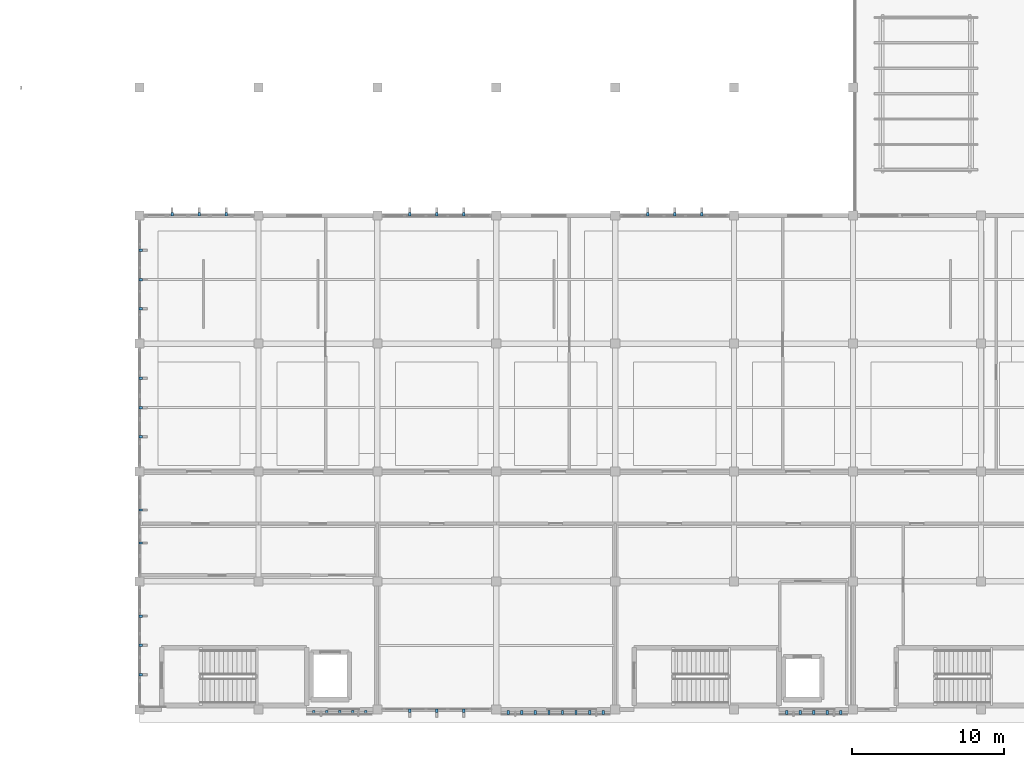
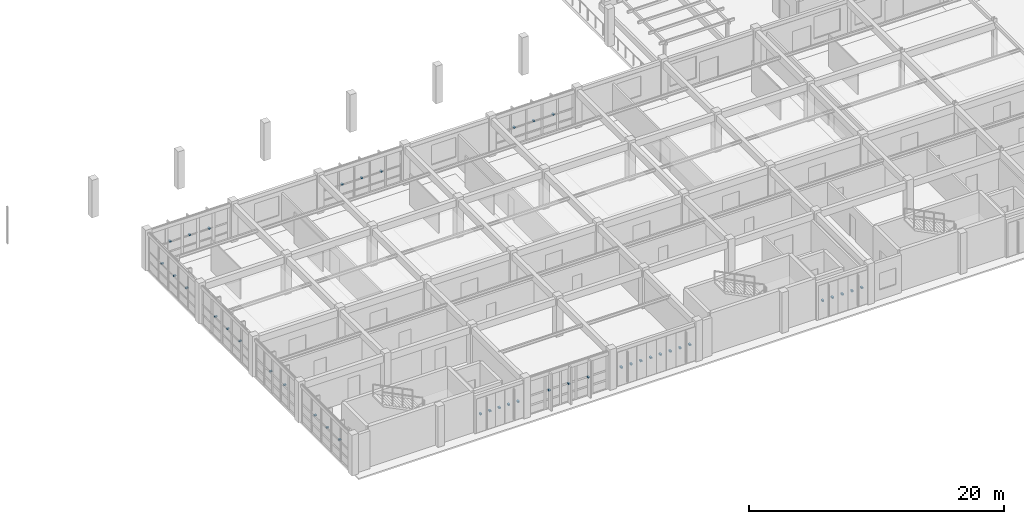
# One storey, part 49 of 67: 41 discrete accessories.
"""IFC4 building model written with IfcOpenShell, lengths in metres."""

import ifcopenshell
import ifcopenshell.guid

model = None  # the IFC model being written
_history = None  # IfcOwnerHistory: only IFC2X3 demands one
_inside = {}  # id of a spatial element -> (the spatial element, [elements in it])
_under = {}  # id of a project, library or spatial element -> (it, [spatial elements below it])
_declared = {}  # id of a project -> (the project, [libraries it declares])
_typed = {}  # id of a type object -> (the type object, [elements of that type])
_made_of = {}  # id of a material, layer set ... -> (it, [elements and type objects made of it])


def new_model(schema):
    """Start an empty IFC model of exactly this schema.

    Asked for "IFC4X3", IfcOpenShell would pick the latest addendum, in which some entities
    have other attributes; the version numbers below select the first issue.
    IFC2X3 requires an IfcOwnerHistory on every rooted entity: one is made here for all.
    """
    global model, _history
    if schema == "IFC4X3":
        model = ifcopenshell.file(schema_version=(4, 3, 0, 0))
    else:
        model = ifcopenshell.file(schema=schema)
    _inside.clear()
    _under.clear()
    _declared.clear()
    _typed.clear()
    _made_of.clear()
    _history = None
    if model.schema == "IFC2X3":
        org = make("IfcOrganization", Name="unknown")
        user = make(
            "IfcPersonAndOrganization",
            ThePerson=make("IfcPerson", FamilyName="unknown"),
            TheOrganization=org,
        )
        app = make(
            "IfcApplication",
            ApplicationDeveloper=org,
            Version="unknown",
            ApplicationFullName="unknown",
            ApplicationIdentifier="unknown",
        )
        _history = make(
            "IfcOwnerHistory",
            OwningUser=user,
            OwningApplication=app,
            ChangeAction="ADDED",
            CreationDate=0,
        )
    return model


def make(cls, **values):
    """One entity of the class cls with the attributes given. An attribute that is None is left unset."""
    return model.create_entity(
        cls, **{name: value for name, value in values.items() if value is not None}
    )


def rooted(cls, **values):
    """An entity with a GlobalId (a new one), such as an element, a storey or a relation."""
    return make(cls, GlobalId=ifcopenshell.guid.new(), OwnerHistory=_history, **values)


def si_unit(unit_type, name, prefix=None):
    """IfcSIUnit, for example si_unit("LENGTHUNIT", "METRE", prefix="MILLI")."""
    return make("IfcSIUnit", UnitType=unit_type, Prefix=prefix, Name=name)


def assignment(units):
    """IfcUnitAssignment: the units of a project."""
    return None if units is None else make("IfcUnitAssignment", Units=units)


def point(xyz):
    """IfcCartesianPoint."""
    return None if xyz is None else make("IfcCartesianPoint", Coordinates=xyz)


def direction(xyz):
    """IfcDirection."""
    return None if xyz is None else make("IfcDirection", DirectionRatios=xyz)


def frame(location, z_axis=None, x_axis=None):
    """IfcAxis2Placement3D, a coordinate frame: its origin and axes. An axis left out is left unset."""
    return make(
        "IfcAxis2Placement3D",
        Location=point(location),
        Axis=direction(z_axis),
        RefDirection=direction(x_axis),
    )


def frame_2d(location, x_axis=None):
    """IfcAxis2Placement2D, a coordinate frame in the plane: its origin and x axis."""
    return make(
        "IfcAxis2Placement2D", Location=point(location), RefDirection=direction(x_axis)
    )


def origin():
    """The frame at (0, 0, 0) with its axes left unset."""
    return frame((0.0, 0.0, 0.0))


def origin_2d():
    """The frame at (0, 0) in the plane with its x axis left unset."""
    return frame_2d((0.0, 0.0))


def place(relative_to, where):
    """IfcLocalPlacement: puts the frame where relative to a parent placement (None: the world)."""
    return make(
        "IfcLocalPlacement", PlacementRelTo=relative_to, RelativePlacement=where
    )


def context(
    kind, dimensions, precision=None, world=None, true_north=None, identifier=None
):
    """IfcGeometricRepresentationContext, for example the 3D "Model" context."""
    return make(
        "IfcGeometricRepresentationContext",
        ContextIdentifier=identifier,
        ContextType=kind,
        CoordinateSpaceDimension=dimensions,
        Precision=precision,
        WorldCoordinateSystem=world,
        TrueNorth=true_north,
    )


def subcontext(parent, identifier, kind, view, scale=None):
    """IfcGeometricRepresentationSubContext, for example "Body" below "Model"."""
    return make(
        "IfcGeometricRepresentationSubContext",
        ContextIdentifier=identifier,
        ContextType=kind,
        ParentContext=parent,
        TargetScale=scale,
        TargetView=view,
    )


def project(units=None, contexts=None):
    """IfcProject with its units and contexts."""
    return rooted(
        "IfcProject",
        Name="project",
        RepresentationContexts=contexts,
        UnitsInContext=assignment(units),
    )


def spatial(cls, under=None, at=None, **own):
    """A site, building, storey or space (cls), placed at a placement, below another one or the project."""
    s = rooted(cls, ObjectPlacement=at, **own)
    if under is not None:
        _under.setdefault(under.id(), (under, []))[1].append(s)
    return s


def profile(cls, at=None, kind="AREA", **sizes):
    """A parametric profile (cls). Its sizes go by their IFC names, for example OverallWidth=200.0."""
    return make(cls, ProfileType=kind, Position=at, **sizes)


def rectangle(**sizes):
    """IfcRectangleProfileDef."""
    return profile("IfcRectangleProfileDef", **sizes)


def extrude(swept, where, along, depth):
    """IfcExtrudedAreaSolid: the profile swept, set in the frame where, extruded along a direction by depth."""
    return make(
        "IfcExtrudedAreaSolid",
        SweptArea=swept,
        Position=where,
        ExtrudedDirection=direction(along),
        Depth=depth,
    )


def shape(context_of_items, identifier, shape_type, items):
    """IfcShapeRepresentation: the items that make up one representation, for example the "Body"."""
    return make(
        "IfcShapeRepresentation",
        ContextOfItems=context_of_items,
        RepresentationIdentifier=identifier,
        RepresentationType=shape_type,
        Items=items,
    )


def material(Name=None, Category=None):
    """IfcMaterial."""
    return make("IfcMaterial", Name=Name, Category=Category)


def made_of(thing, what):
    """Note that an element or type object is made of a material, layer set ...; save() writes the relation."""
    if what is not None:
        _made_of.setdefault(what.id(), (what, []))[1].append(thing)
    return thing


def type_object(cls, material=None, **own):
    """A type object (cls), such as IfcWallType, which elements share."""
    return made_of(rooted(cls, **own), material)


def element(
    cls,
    number,
    at=None,
    inside=None,
    cuts=None,
    type_object=None,
    material=None,
    context=None,
    identifier="Body",
    shape_type=None,
    held_by="IfcProductDefinitionShape",
    body=None,
    shapes=None,
    **own,
):
    """One element of the class cls, such as IfcWall. Its Tag is "e" and its number.

    at: its placement. inside: the storey or other place that contains it. cuts: it is an
    opening in that element (IfcRelVoidsElement). A single representation is given by context,
    identifier, shape_type and body (its items); several are given by shapes. held_by: the class
    of the entity that holds the representations. save() writes the other relations.
    """
    e = rooted(cls, Tag="e%d" % number, ObjectPlacement=at, **own)
    if body is not None:
        shapes = [shape(context, identifier, shape_type, body)]
    if shapes is not None:
        e.Representation = make(held_by, Representations=shapes)
    if inside is not None:
        _inside.setdefault(inside.id(), (inside, []))[1].append(e)
    if cuts is not None:
        rooted(
            "IfcRelVoidsElement", RelatingBuildingElement=cuts, RelatedOpeningElement=e
        )
    if type_object is not None:
        _typed.setdefault(type_object.id(), (type_object, []))[1].append(e)
    return made_of(e, material)


def aggregate(whole, parts):
    """IfcRelAggregates: a whole, such as a stair, and the parts it consists of."""
    return rooted("IfcRelAggregates", RelatingObject=whole, RelatedObjects=parts)


def save(model, path):
    """Write the relations noted so far, then the file.

    IfcRelAggregates (storeys below a building ...), IfcRelContainedInSpatialStructure (elements
    in a storey), IfcRelDefinesByType, IfcRelAssociatesMaterial and IfcRelDeclares: one each for
    every whole, place, type object, material and project.
    """
    for whole, parts in _under.values():
        aggregate(whole, parts)
    for where, things in _inside.values():
        rooted(
            "IfcRelContainedInSpatialStructure",
            RelatedElements=things,
            RelatingStructure=where,
        )
    for kind, things in _typed.values():
        rooted("IfcRelDefinesByType", RelatedObjects=things, RelatingType=kind)
    for what, things in _made_of.values():
        rooted("IfcRelAssociatesMaterial", RelatedObjects=things, RelatingMaterial=what)
    for by, libraries in _declared.values():
        rooted("IfcRelDeclares", RelatingContext=by, RelatedDefinitions=libraries)
    model.write(path)


model = new_model("IFC4")

# Units and contexts
model_context = context("Model", 3, precision=1e-05, world=origin(), true_north=direction((0.0, 1.0)))
body_context = subcontext(model_context, "Body", "Model", "MODEL_VIEW")
ifc_project = project(units=[si_unit("LENGTHUNIT", "METRE"), si_unit("AREAUNIT", "SQUARE_METRE"), si_unit("VOLUMEUNIT", "CUBIC_METRE"), si_unit("PLANEANGLEUNIT", "RADIAN"), si_unit("MASSUNIT", "GRAM", prefix="KILO")], contexts=[model_context])

# Site, building, storey
site_placement = place(None, origin())
site = spatial("IfcSite", under=ifc_project, at=site_placement, CompositionType="ELEMENT")
building_placement = place(site_placement, origin())
building = spatial("IfcBuilding", under=site, at=building_placement, Name="Tizgana Railside Sports Hall", CompositionType="ELEMENT")
storey_placement = place(building_placement, frame((0.0, 0.0, 12.0)))
storey = spatial("IfcBuildingStorey", under=building, at=storey_placement, Name="L02", CompositionType="ELEMENT", Elevation=12.0)

# Discrete accessories
ifc_material = material(Name="Steel S355J2", Category="steel")
discrete_accessory_type = type_object("IfcDiscreteAccessoryType", Name="Stainless Facade Support Bracket", PredefinedType="BRACKET", material=ifc_material)
for number, where, z_axis, x_axis, name in (
    (1, (22.625, -0.199951171875, 1.75), (0.0, 0.0, 1.0), (-1.0, 0.0, 0.0), "L02 Screen Bracket"),
    (2, (21.77490234375, -0.199951171875, 1.75), (0.0, 0.0, 1.0), (-1.0, 0.0, 0.0), "L02 Screen Bracket"),
    (3, (20.925048828125, -0.199951171875, 1.75), (0.0, 0.0, 1.0), (-1.0, 0.0, 0.0), "L02 Screen Bracket"),
    (4, (20.074951171875, -0.199951171875, 1.75), (0.0, 0.0, 1.0), (-1.0, 0.0, 0.0), "L02 Screen Bracket"),
    (5, (19.22509765625, -0.199951171875, 1.75), (0.0, 0.0, 1.0), (-1.0, 0.0, 0.0), "L02 Screen Bracket"),
):
    element("IfcDiscreteAccessory", number, at=place(storey_placement, frame(where, z_axis=z_axis, x_axis=x_axis)), inside=storey, type_object=discrete_accessory_type, Name=name, PredefinedType="BRACKET", context=body_context, shape_type="SweptSolid", body=[
        extrude(rectangle(XDim=0.159912109375, YDim=0.25, at=origin_2d()), origin(), (0.0, 0.0, 1.0), 0.139892578125),
    ])
for number, where, z_axis, x_axis, name in (
    (6, (29.072509765625, -0.080078125, 1.760009765625), (0.0, 0.0, 1.0), (-1.0, 0.0, 0.0), "L02 Fin Bracket"),
    (7, (27.300048828125, -0.080078125, 1.760009765625), (0.0, 0.0, 1.0), (-1.0, 0.0, 0.0), "L02 Fin Bracket"),
    (8, (25.527587890625, -0.080078125, 1.760009765625), (0.0, 0.0, 1.0), (-1.0, 0.0, 0.0), "L02 Fin Bracket"),
):
    element("IfcDiscreteAccessory", number, at=place(storey_placement, frame(where, z_axis=z_axis, x_axis=x_axis)), inside=storey, type_object=discrete_accessory_type, Name=name, PredefinedType="BRACKET", context=body_context, shape_type="SweptSolid", body=[
        extrude(rectangle(XDim=0.159912109375, YDim=0.219970703125, at=origin_2d()), origin(), (0.0, 0.0, 1.0), 0.1201171875),
    ])
for number, where, z_axis, x_axis, name in (
    (9, (38.206298828125, -0.199951171875, 1.75), (0.0, 0.0, 1.0), (-1.0, 0.0, 0.0), "L02 Screen Bracket"),
    (10, (37.31884765625, -0.199951171875, 1.75), (0.0, 0.0, 1.0), (-1.0, 0.0, 0.0), "L02 Screen Bracket"),
    (11, (36.43115234375, -0.199951171875, 1.75), (0.0, 0.0, 1.0), (-1.0, 0.0, 0.0), "L02 Screen Bracket"),
    (12, (35.543701171875, -0.199951171875, 1.75), (0.0, 0.0, 1.0), (-1.0, 0.0, 0.0), "L02 Screen Bracket"),
    (13, (34.65625, -0.199951171875, 1.75), (0.0, 0.0, 1.0), (-1.0, 0.0, 0.0), "L02 Screen Bracket"),
    (14, (33.768798828125, -0.199951171875, 1.75), (0.0, 0.0, 1.0), (-1.0, 0.0, 0.0), "L02 Screen Bracket"),
    (15, (32.88134765625, -0.199951171875, 1.75), (0.0, 0.0, 1.0), (-1.0, 0.0, 0.0), "L02 Screen Bracket"),
    (16, (31.99365234375, -0.199951171875, 1.75), (0.0, 0.0, 1.0), (-1.0, 0.0, 0.0), "L02 Screen Bracket"),
    (17, (53.804931640625, -0.199951171875, 1.75), (0.0, 0.0, 1.0), (-1.0, 0.0, 0.0), "L02 Screen Bracket"),
    (18, (52.9150390625, -0.199951171875, 1.75), (0.0, 0.0, 1.0), (-1.0, 0.0, 0.0), "L02 Screen Bracket"),
    (19, (52.02490234375, -0.199951171875, 1.75), (0.0, 0.0, 1.0), (-1.0, 0.0, 0.0), "L02 Screen Bracket"),
    (20, (51.135009765625, -0.199951171875, 1.75), (0.0, 0.0, 1.0), (-1.0, 0.0, 0.0), "L02 Screen Bracket"),
    (21, (50.2451171875, -0.199951171875, 1.75), (0.0, 0.0, 1.0), (-1.0, 0.0, 0.0), "L02 Screen Bracket"),
):
    element("IfcDiscreteAccessory", number, at=place(storey_placement, frame(where, z_axis=z_axis, x_axis=x_axis)), inside=storey, type_object=discrete_accessory_type, Name=name, PredefinedType="BRACKET", context=body_context, shape_type="SweptSolid", body=[
        extrude(rectangle(XDim=0.159912109375, YDim=0.25, at=origin_2d()), origin(), (0.0, 0.0, 1.0), 0.139892578125),
    ])
for number, where, z_axis, x_axis, name in (
    (22, (9.927490234375, 32.47998046875, 1.760009765625), (0.0, 0.0, 1.0), (1.0, 0.0, 0.0), "L02 Fin Bracket"),
    (23, (11.699951171875, 32.47998046875, 1.760009765625), (0.0, 0.0, 1.0), (1.0, 0.0, 0.0), "L02 Fin Bracket"),
    (24, (13.472412109375, 32.47998046875, 1.760009765625), (0.0, 0.0, 1.0), (1.0, 0.0, 0.0), "L02 Fin Bracket"),
    (25, (25.527587890625, 32.47998046875, 1.760009765625), (0.0, 0.0, 1.0), (1.0, 0.0, 0.0), "L02 Fin Bracket"),
    (26, (27.300048828125, 32.47998046875, 1.760009765625), (0.0, 0.0, 1.0), (1.0, 0.0, 0.0), "L02 Fin Bracket"),
    (27, (29.072509765625, 32.47998046875, 1.760009765625), (0.0, 0.0, 1.0), (1.0, 0.0, 0.0), "L02 Fin Bracket"),
    (28, (41.12744140625, 32.47998046875, 1.760009765625), (0.0, 0.0, 1.0), (1.0, 0.0, 0.0), "L02 Fin Bracket"),
    (29, (42.89990234375, 32.47998046875, 1.760009765625), (0.0, 0.0, 1.0), (1.0, 0.0, 0.0), "L02 Fin Bracket"),
    (30, (44.672607421875, 32.47998046875, 1.760009765625), (0.0, 0.0, 1.0), (1.0, 0.0, 0.0), "L02 Fin Bracket"),
    (31, (7.8798828125, 6.12255859375, 1.760009765625), (0.0, 0.0, 1.0), (0.0, -1.0, 0.0), "L02 Fin Bracket"),
    (32, (7.8798828125, 4.199951171875, 1.760009765625), (0.0, 0.0, 1.0), (0.0, -1.0, 0.0), "L02 Fin Bracket"),
    (33, (7.8798828125, 2.277587890625, 1.760009765625), (0.0, 0.0, 1.0), (0.0, -1.0, 0.0), "L02 Fin Bracket"),
    (34, (7.8798828125, 13.081787109375, 1.760009765625), (0.0, 0.0, 1.0), (0.0, -1.0, 0.0), "L02 Fin Bracket"),
    (35, (7.8798828125, 10.918212890625, 1.760009765625), (0.0, 0.0, 1.0), (0.0, -1.0, 0.0), "L02 Fin Bracket"),
    (36, (7.8798828125, 21.722412109375, 1.760009765625), (0.0, 0.0, 1.0), (0.0, -1.0, 0.0), "L02 Fin Bracket"),
    (37, (7.8798828125, 19.800048828125, 1.760009765625), (0.0, 0.0, 1.0), (0.0, -1.0, 0.0), "L02 Fin Bracket"),
    (38, (7.8798828125, 17.87744140625, 1.760009765625), (0.0, 0.0, 1.0), (0.0, -1.0, 0.0), "L02 Fin Bracket"),
    (39, (7.8798828125, 30.12255859375, 1.760009765625), (0.0, 0.0, 1.0), (0.0, -1.0, 0.0), "L02 Fin Bracket"),
    (40, (7.8798828125, 28.199951171875, 1.760009765625), (0.0, 0.0, 1.0), (0.0, -1.0, 0.0), "L02 Fin Bracket"),
    (41, (7.8798828125, 26.277587890625, 1.760009765625), (0.0, 0.0, 1.0), (0.0, -1.0, 0.0), "L02 Fin Bracket"),
):
    element("IfcDiscreteAccessory", number, at=place(storey_placement, frame(where, z_axis=z_axis, x_axis=x_axis)), inside=storey, type_object=discrete_accessory_type, Name=name, PredefinedType="BRACKET", context=body_context, shape_type="SweptSolid", body=[
        extrude(rectangle(XDim=0.159912109375, YDim=0.219970703125, at=origin_2d()), origin(), (0.0, 0.0, 1.0), 0.1201171875),
    ])

save(model, "model.ifc")
